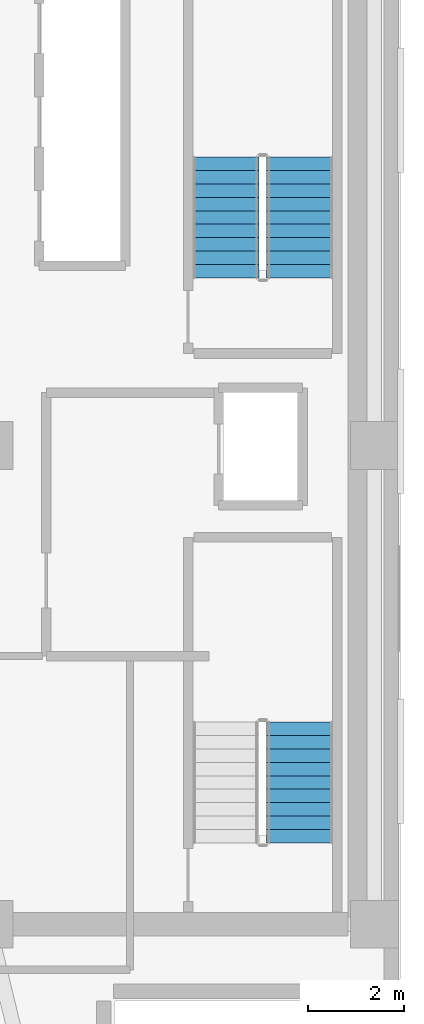
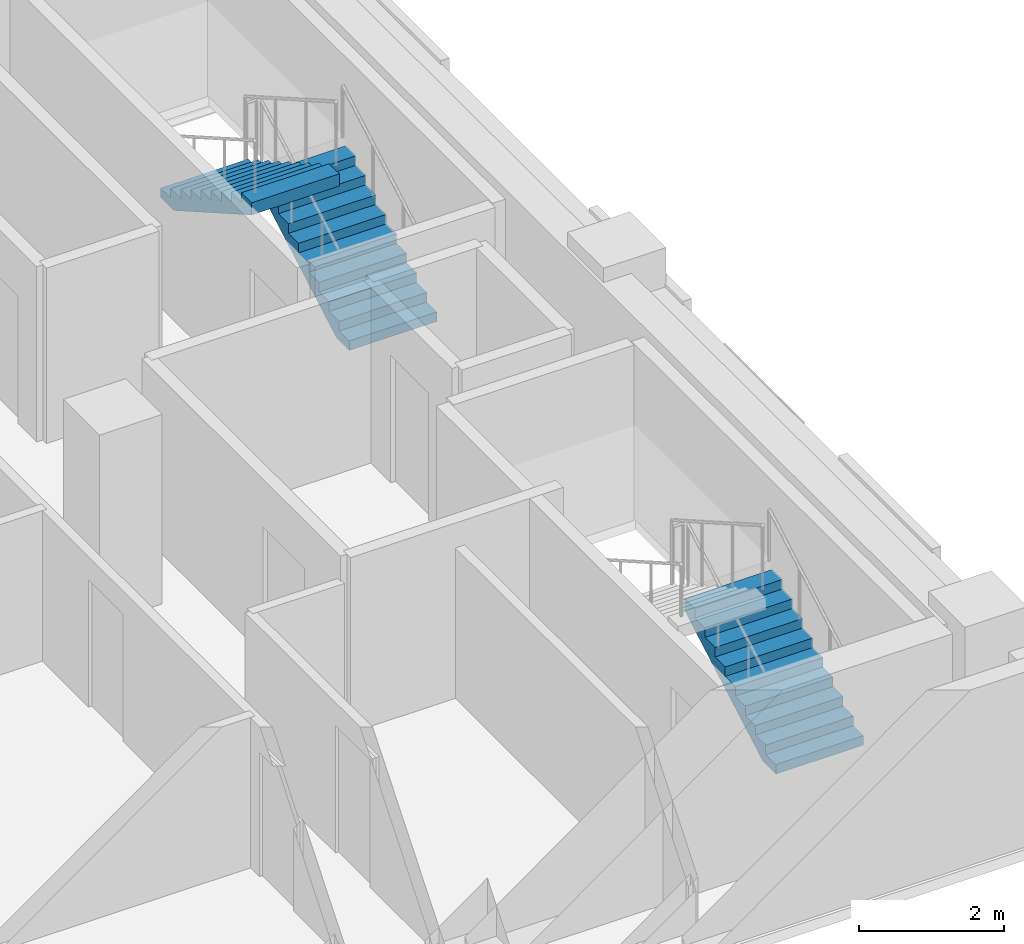
# One storey, part 12 of 15: 3 stair flights, 2 elements without a shape of their own.
"""IFC4 building model written with IfcOpenShell, lengths in metres."""

from ifc_helpers import new_model, si_unit, direction, frame, origin, place, context, subcontext, project, spatial, polyline, outline, extrude, material, type_object, element, aggregate, save


model = new_model("IFC4")

# Units and contexts
model_context = context("Model", 3, precision=1e-05, world=origin(), true_north=direction((0.0, 1.0)))
body_context = subcontext(model_context, "Body", "Model", "MODEL_VIEW")
ifc_project = project(units=[si_unit("LENGTHUNIT", "METRE"), si_unit("AREAUNIT", "SQUARE_METRE"), si_unit("VOLUMEUNIT", "CUBIC_METRE"), si_unit("PLANEANGLEUNIT", "RADIAN"), si_unit("MASSUNIT", "GRAM", prefix="KILO")], contexts=[model_context])

# Site, building, storey
site_placement = place(None, origin())
site = spatial("IfcSite", under=ifc_project, at=site_placement, CompositionType="ELEMENT")
building_placement = place(site_placement, origin())
building = spatial("IfcBuilding", under=site, at=building_placement, Name="Kuzgunbayir Cultural Tower", CompositionType="ELEMENT")
storey_placement = place(building_placement, frame((0.0, 0.0, 72.39990234375)))
storey = spatial("IfcBuildingStorey", under=building, at=storey_placement, Name="L20", CompositionType="ELEMENT", Elevation=72.39990234375)

# Stair, stair flight
ifc_material = material(Name="Concrete C40/50", Category="concrete")
stair_type = type_object("IfcStairType", Name="STR-EXIT-CORE", PredefinedType="HALF_TURN_STAIR", material=ifc_material)
stair_1_placement = place(storey_placement, origin())
stair_1 = element("IfcStair", 1, at=stair_1_placement, inside=storey, type_object=stair_type, Name="L20 ST-3", PredefinedType="HALF_TURN_STAIR")
stair_flight_type = type_object("IfcStairFlightType", Name="STRF-RC-140", PredefinedType="STRAIGHT", material=ifc_material)
stair_flight_1_placement = place(storey_placement, frame((71.10009765625, 23.699951171875, 0.0), z_axis=(0.0, 0.0, 1.0), x_axis=(0.0, 1.0, 0.0)))
stair_flight_1 = element("IfcStairFlight", 2, at=stair_flight_1_placement, type_object=stair_flight_type, Name="ST-3 flight 1", NumberOfRisers=10, NumberOfTreads=9, PredefinedType="STRAIGHT", RiserHeight=0.16, TreadLength=0.28, context=body_context, shape_type="SweptSolid", body=[
    extrude(outline(polyline([(0.0, 0.0), (0.0, 0.159912109375), (0.280029296875, 0.159912109375), (0.280029296875, 0.320068359375), (0.56005859375, 0.320068359375), (0.56005859375, 0.47998046875), (0.840087890625, 0.47998046875), (0.840087890625, 0.639892578125), (1.1201171875, 0.639892578125), (1.1201171875, 0.800048828125), (1.39990234375, 0.800048828125), (1.39990234375, 0.9599609375), (1.679931640625, 0.9599609375), (1.679931640625, 1.1201171875), (1.9599609375, 1.1201171875), (1.9599609375, 1.280029296875), (2.239990234375, 1.280029296875), (2.239990234375, 1.43994140625), (2.52001953125, 1.43994140625), (2.52001953125, 1.60009765625), (2.52001953125, 1.232666015625), (0.362548828125, 0.0), (0.0, 0.0)])), frame((0.0, 0.699951171875, 0.0), z_axis=(0.0, -1.0, 0.0), x_axis=(1.0, 0.0, 0.0)), (0.0, 0.0, 1.0), 1.39990234375),
])
aggregate(stair_1, [stair_flight_1])

# Stair, stair flights
stair_2_placement = place(storey_placement, origin())
stair_2 = element("IfcStair", 3, at=stair_2_placement, inside=storey, type_object=stair_type, Name="L20 ST-4", PredefinedType="HALF_TURN_STAIR")
stair_flight_2_placement = place(storey_placement, frame((71.10009765625, 35.5, 0.0), z_axis=(0.0, 0.0, 1.0), x_axis=(0.0, 1.0, 0.0)))
stair_flight_2 = element("IfcStairFlight", 4, at=stair_flight_2_placement, type_object=stair_flight_type, Name="ST-4 flight 1", NumberOfRisers=10, NumberOfTreads=9, PredefinedType="STRAIGHT", RiserHeight=0.16, TreadLength=0.28, context=body_context, shape_type="SweptSolid", body=[
    extrude(outline(polyline([(0.0, 0.0), (0.0, 0.159912109375), (0.280029296875, 0.159912109375), (0.280029296875, 0.320068359375), (0.56005859375, 0.320068359375), (0.56005859375, 0.47998046875), (0.840087890625, 0.47998046875), (0.840087890625, 0.639892578125), (1.1201171875, 0.639892578125), (1.1201171875, 0.800048828125), (1.39990234375, 0.800048828125), (1.39990234375, 0.9599609375), (1.679931640625, 0.9599609375), (1.679931640625, 1.1201171875), (1.9599609375, 1.1201171875), (1.9599609375, 1.280029296875), (2.239990234375, 1.280029296875), (2.239990234375, 1.43994140625), (2.52001953125, 1.43994140625), (2.52001953125, 1.60009765625), (2.52001953125, 1.232666015625), (0.362548828125, 0.0), (0.0, 0.0)])), frame((0.0, 0.699951171875, 0.0), z_axis=(0.0, -1.0, 0.0), x_axis=(1.0, 0.0, 0.0)), (0.0, 0.0, 1.0), 1.39990234375),
])
stair_flight_3_placement = place(storey_placement, frame((69.5400390625, 38.02001953125, 1.60009765625), z_axis=(0.0, 0.0, 1.0), x_axis=(0.0, -1.0, 0.0)))
stair_flight_3 = element("IfcStairFlight", 5, at=stair_flight_3_placement, type_object=stair_flight_type, Name="ST-4 flight 2", NumberOfRisers=10, NumberOfTreads=9, PredefinedType="STRAIGHT", RiserHeight=0.16, TreadLength=0.28, context=body_context, shape_type="SweptSolid", body=[
    extrude(outline(polyline([(0.0, 0.0), (0.0, 0.159912109375), (0.280029296875, 0.159912109375), (0.280029296875, 0.320068359375), (0.56005859375, 0.320068359375), (0.56005859375, 0.47998046875), (0.840087890625, 0.47998046875), (0.840087890625, 0.639892578125), (1.1201171875, 0.639892578125), (1.1201171875, 0.800048828125), (1.39990234375, 0.800048828125), (1.39990234375, 0.9599609375), (1.679931640625, 0.9599609375), (1.679931640625, 1.1201171875), (1.9599609375, 1.1201171875), (1.9599609375, 1.280029296875), (2.239990234375, 1.280029296875), (2.239990234375, 1.43994140625), (2.52001953125, 1.43994140625), (2.52001953125, 1.60009765625), (2.52001953125, 1.232666015625), (0.362548828125, 0.0), (0.0, 0.0)])), frame((0.0, 0.699951171875, 0.0), z_axis=(0.0, -1.0, 0.0), x_axis=(1.0, 0.0, 0.0)), (0.0, 0.0, 1.0), 1.39990234375),
])
aggregate(stair_2, [stair_flight_2, stair_flight_3])

save(model, "model.ifc")
